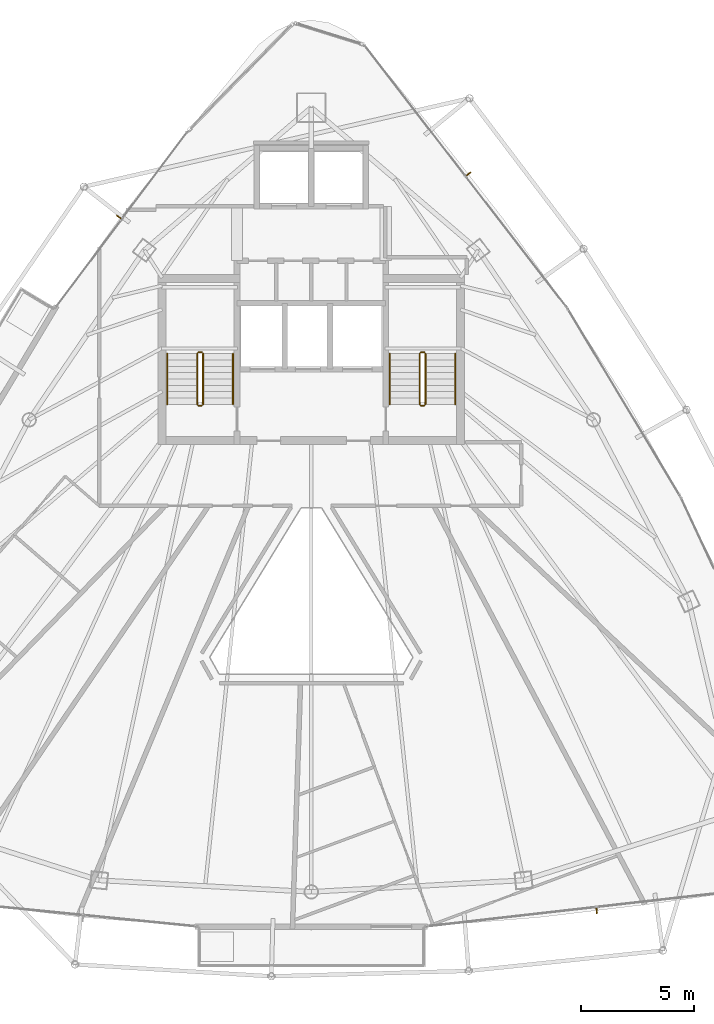
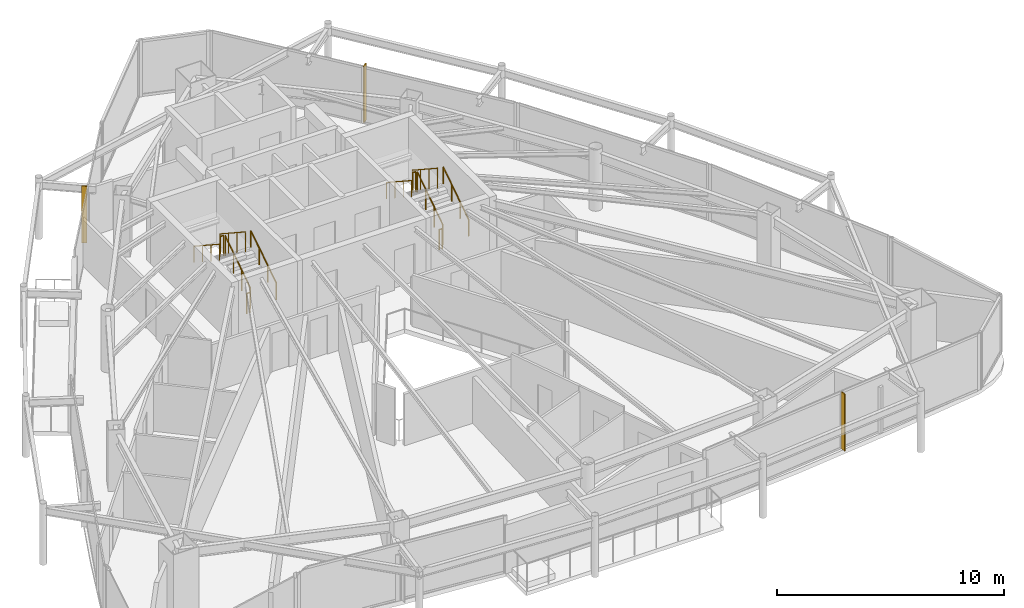
# One storey, part 29 of 29: 12 railings, 3 shading devices.
"""IFC4 building model written with IfcOpenShell, lengths in metres."""

from ifc_helpers import new_model, si_unit, direction, frame, origin, origin_2d, place, context, subcontext, project, spatial, rectangle, circle, extrude, material, layer, layer_set, type_object, element, save


model = new_model("IFC4")

# Units and contexts
model_context = context("Model", 3, precision=1e-05, world=origin(), true_north=direction((0.0, 1.0)))
body_context = subcontext(model_context, "Body", "Model", "MODEL_VIEW")
ifc_project = project(units=[si_unit("LENGTHUNIT", "METRE"), si_unit("AREAUNIT", "SQUARE_METRE"), si_unit("VOLUMEUNIT", "CUBIC_METRE"), si_unit("PLANEANGLEUNIT", "RADIAN"), si_unit("MASSUNIT", "GRAM", prefix="KILO")], contexts=[model_context])

# Site, building, storey
site_placement = place(None, origin())
site = spatial("IfcSite", under=ifc_project, at=site_placement, CompositionType="ELEMENT")
building_placement = place(site_placement, origin())
building = spatial("IfcBuilding", under=site, at=building_placement, Name="Orvanel Arch Residences", CompositionType="ELEMENT")
storey_placement = place(building_placement, frame((0.0, 0.0, 243.64990234375)))
storey = spatial("IfcBuildingStorey", under=building, at=storey_placement, Name="L69", CompositionType="ELEMENT", Elevation=243.64990234375)

# Shading devices
ifc_material_1 = material(Name="Bronze-anodised aluminium AA6063-T6", Category="aluminium")
ifc_layer = layer(ifc_material_1, 0.050048828125)
ifc_layer_set = layer_set([ifc_layer], Name="Bronze-anodised aluminium AA6063-T6")
shading_device_type = type_object("IfcShadingDeviceType", Name="FIN-BRZ-260", PredefinedType="USERDEFINED", material=ifc_layer_set)
for number, where, z_axis, x_axis, name in (
    (1, (24.52587890625, 36.570068359375, 0.0), (0.0, 0.0, 1.0), (-0.799684658487, 0.600420225326, 0.0), "L69 Anodised Bronze Mullion FIN 01"),
    (2, (45.572998046875, 6.01904296875, 0.0), (0.0, 0.0, 1.0), (0.113203213768, -0.993571855677, 0.0), "L69 Anodised Bronze Mullion FIN 01"),
    (3, (39.919921875, 38.468017578125, 0.0), (0.0, 0.0, 1.0), (0.791223532967, 0.611527040186, 0.0), "L69 Anodised Bronze Mullion FIN 01"),
):
    element("IfcShadingDevice", number, at=place(storey_placement, frame(where, z_axis=z_axis, x_axis=x_axis)), inside=storey, type_object=shading_device_type, Name=name, ObjectType="FIN", PredefinedType="USERDEFINED", context=body_context, shape_type="SweptSolid", body=[
        extrude(rectangle(XDim=0.260009765625, YDim=0.050048828125, at=origin_2d()), origin(), (0.0, 0.0, 1.0), 3.06005859375),
    ])

# Railings
ifc_material_2 = material(Name="Structural steel AS/NZS 1163 C350L0 (Grade 350)", Category="steel")
railing_type_1 = type_object("IfcRailingType", Name="RL-STAIR-GUARD", PredefinedType="GUARDRAIL", material=ifc_material_2)
railing_1_placement = place(storey_placement, frame((28.22998046875, 28.320068359375, 0.183349609375)))
element("IfcRailing", 4, at=railing_1_placement, inside=storey, type_object=railing_type_1, Name="L69 ST-1 stair guard 1", PredefinedType="GUARDRAIL", context=body_context, shape_type="SweptSolid", body=[
    extrude(circle(Radius=0.02392578125, at=origin_2d()), frame((0.0, 0.001220703125, 1.076904296875), z_axis=(0.0, 0.836595146698, 0.547821650285), x_axis=(-1.0, 0.0, 0.0)), (0.0, 0.0, 1.0), 2.674560546875),
    extrude(circle(Radius=0.02099609375, at=origin_2d()), origin(), (0.0, 0.0, 1.0), 1.050048828125),
    extrude(circle(Radius=0.02099609375, at=origin_2d()), frame((0.0, 0.74658203125, 0.489013671875)), (0.0, 0.0, 1.0), 1.050048828125),
    extrude(circle(Radius=0.02099609375, at=origin_2d()), frame((0.0, 1.493408203125, 0.977783203125)), (0.0, 0.0, 1.0), 1.050048828125),
    extrude(circle(Radius=0.02099609375, at=origin_2d()), frame((0.0, 2.239990234375, 1.466796875)), (0.0, 0.0, 1.0), 1.050048828125),
])
railing_2_placement = place(storey_placement, frame((28.179931640625, 30.610107421875, 1.650146484375)))
element("IfcRailing", 5, at=railing_2_placement, inside=storey, type_object=railing_type_1, Name="L69 ST-1 stair guard 2", PredefinedType="GUARDRAIL", context=body_context, shape_type="SweptSolid", body=[
    extrude(circle(Radius=0.02392578125, at=origin_2d()), frame((-0.00146484375, 0.0, 1.076171875), z_axis=(-1.0, 0.0, 0.0), x_axis=(0.0, -1.0, 0.0)), (0.0, 0.0, 1.0), 0.156982421875),
    extrude(circle(Radius=0.02099609375, at=origin_2d()), origin(), (0.0, 0.0, 1.0), 1.050048828125),
    extrude(circle(Radius=0.02099609375, at=origin_2d()), frame((-0.159912109375, 0.0, 0.0)), (0.0, 0.0, 1.0), 1.050048828125),
])
railing_3_placement = place(storey_placement, frame((27.969970703125, 30.56005859375, 1.83349609375)))
element("IfcRailing", 6, at=railing_3_placement, inside=storey, type_object=railing_type_1, Name="L69 ST-1 stair guard 3", PredefinedType="GUARDRAIL", context=body_context, shape_type="SweptSolid", body=[
    extrude(circle(Radius=0.02392578125, at=origin_2d()), frame((0.0, -0.001220703125, 1.076904296875), z_axis=(0.0, -0.836636935527, 0.547757827979), x_axis=(1.0, 0.0, 0.0)), (0.0, 0.0, 1.0), 2.67431640625),
    extrude(circle(Radius=0.02099609375, at=origin_2d()), origin(), (0.0, 0.0, 1.0), 1.050048828125),
    extrude(circle(Radius=0.02099609375, at=origin_2d()), frame((0.0, -0.74658203125, 0.48876953125)), (0.0, 0.0, 1.0), 1.050048828125),
    extrude(circle(Radius=0.02099609375, at=origin_2d()), frame((0.0, -1.493408203125, 0.977783203125)), (0.0, 0.0, 1.0), 1.050048828125),
    extrude(circle(Radius=0.02099609375, at=origin_2d()), frame((0.0, -2.239990234375, 1.466552734375)), (0.0, 0.0, 1.0), 1.050048828125),
])
railing_4_placement = place(storey_placement, frame((28.179931640625, 28.27001953125, 0.0)))
element("IfcRailing", 7, at=railing_4_placement, inside=storey, type_object=railing_type_1, Name="L69 ST-1 stair guard 4", PredefinedType="GUARDRAIL", context=body_context, shape_type="SweptSolid", body=[
    extrude(circle(Radius=0.02392578125, at=origin_2d()), frame((-0.00146484375, 0.0, 1.076171875), z_axis=(-1.0, 0.0, 0.0), x_axis=(0.0, -1.0, 0.0)), (0.0, 0.0, 1.0), 0.156982421875),
    extrude(circle(Radius=0.02099609375, at=origin_2d()), origin(), (0.0, 0.0, 1.0), 1.050048828125),
    extrude(circle(Radius=0.02099609375, at=origin_2d()), frame((-0.159912109375, 0.0, 0.0)), (0.0, 0.0, 1.0), 1.050048828125),
])
railing_5_placement = place(storey_placement, frame((38.030029296875, 28.320068359375, 0.183349609375)))
element("IfcRailing", 8, at=railing_5_placement, inside=storey, type_object=railing_type_1, Name="L69 ST-2 stair guard 1", PredefinedType="GUARDRAIL", context=body_context, shape_type="SweptSolid", body=[
    extrude(circle(Radius=0.02392578125, at=origin_2d()), frame((0.0, 0.001220703125, 1.076904296875), z_axis=(0.0, 0.836595146698, 0.547821650285), x_axis=(-1.0, 0.0, 0.0)), (0.0, 0.0, 1.0), 2.674560546875),
    extrude(circle(Radius=0.02099609375, at=origin_2d()), origin(), (0.0, 0.0, 1.0), 1.050048828125),
    extrude(circle(Radius=0.02099609375, at=origin_2d()), frame((0.0, 0.74658203125, 0.489013671875)), (0.0, 0.0, 1.0), 1.050048828125),
    extrude(circle(Radius=0.02099609375, at=origin_2d()), frame((0.0, 1.493408203125, 0.977783203125)), (0.0, 0.0, 1.0), 1.050048828125),
    extrude(circle(Radius=0.02099609375, at=origin_2d()), frame((0.0, 2.239990234375, 1.466796875)), (0.0, 0.0, 1.0), 1.050048828125),
])
railing_6_placement = place(storey_placement, frame((37.97998046875, 30.610107421875, 1.650146484375)))
element("IfcRailing", 9, at=railing_6_placement, inside=storey, type_object=railing_type_1, Name="L69 ST-2 stair guard 2", PredefinedType="GUARDRAIL", context=body_context, shape_type="SweptSolid", body=[
    extrude(circle(Radius=0.02392578125, at=origin_2d()), frame((-0.00146484375, 0.0, 1.076171875), z_axis=(-1.0, 0.0, 0.0), x_axis=(0.0, -1.0, 0.0)), (0.0, 0.0, 1.0), 0.156982421875),
    extrude(circle(Radius=0.02099609375, at=origin_2d()), origin(), (0.0, 0.0, 1.0), 1.050048828125),
    extrude(circle(Radius=0.02099609375, at=origin_2d()), frame((-0.159912109375, 0.0, 0.0)), (0.0, 0.0, 1.0), 1.050048828125),
])
railing_7_placement = place(storey_placement, frame((37.77001953125, 30.56005859375, 1.83349609375)))
element("IfcRailing", 10, at=railing_7_placement, inside=storey, type_object=railing_type_1, Name="L69 ST-2 stair guard 3", PredefinedType="GUARDRAIL", context=body_context, shape_type="SweptSolid", body=[
    extrude(circle(Radius=0.02392578125, at=origin_2d()), frame((0.0, -0.001220703125, 1.076904296875), z_axis=(0.0, -0.836636935527, 0.547757827979), x_axis=(1.0, 0.0, 0.0)), (0.0, 0.0, 1.0), 2.67431640625),
    extrude(circle(Radius=0.02099609375, at=origin_2d()), origin(), (0.0, 0.0, 1.0), 1.050048828125),
    extrude(circle(Radius=0.02099609375, at=origin_2d()), frame((0.0, -0.74658203125, 0.48876953125)), (0.0, 0.0, 1.0), 1.050048828125),
    extrude(circle(Radius=0.02099609375, at=origin_2d()), frame((0.0, -1.493408203125, 0.977783203125)), (0.0, 0.0, 1.0), 1.050048828125),
    extrude(circle(Radius=0.02099609375, at=origin_2d()), frame((0.0, -2.239990234375, 1.466552734375)), (0.0, 0.0, 1.0), 1.050048828125),
])
railing_8_placement = place(storey_placement, frame((37.97998046875, 28.27001953125, 0.0)))
element("IfcRailing", 11, at=railing_8_placement, inside=storey, type_object=railing_type_1, Name="L69 ST-2 stair guard 4", PredefinedType="GUARDRAIL", context=body_context, shape_type="SweptSolid", body=[
    extrude(circle(Radius=0.02392578125, at=origin_2d()), frame((-0.00146484375, 0.0, 1.076171875), z_axis=(-1.0, 0.0, 0.0), x_axis=(0.0, -1.0, 0.0)), (0.0, 0.0, 1.0), 0.156982421875),
    extrude(circle(Radius=0.02099609375, at=origin_2d()), origin(), (0.0, 0.0, 1.0), 1.050048828125),
    extrude(circle(Radius=0.02099609375, at=origin_2d()), frame((-0.159912109375, 0.0, 0.0)), (0.0, 0.0, 1.0), 1.050048828125),
])
railing_type_2 = type_object("IfcRailingType", Name="RL-STAIR-HAND", PredefinedType="HANDRAIL", material=ifc_material_2)
railing_9_placement = place(storey_placement, frame((29.550048828125, 28.320068359375, 0.183349609375)))
element("IfcRailing", 12, at=railing_9_placement, inside=storey, type_object=railing_type_2, Name="L69 ST-1 stair handrail 1", PredefinedType="HANDRAIL", context=body_context, shape_type="SweptSolid", body=[
    extrude(circle(Radius=0.02392578125, at=origin_2d()), frame((0.0, 0.001220703125, 0.876708984375), z_axis=(0.0, 0.836595146698, 0.547821650285), x_axis=(-1.0, 0.0, 0.0)), (0.0, 0.0, 1.0), 2.674560546875),
    extrude(circle(Radius=0.02099609375, at=origin_2d()), origin(), (0.0, 0.0, 1.0), 0.849853515625),
    extrude(circle(Radius=0.02099609375, at=origin_2d()), frame((0.0, 0.74658203125, 0.489013671875)), (0.0, 0.0, 1.0), 0.849853515625),
    extrude(circle(Radius=0.02099609375, at=origin_2d()), frame((0.0, 1.493408203125, 0.977783203125)), (0.0, 0.0, 1.0), 0.849853515625),
    extrude(circle(Radius=0.02099609375, at=origin_2d()), frame((0.0, 2.239990234375, 1.466796875)), (0.0, 0.0, 1.0), 0.849853515625),
])
railing_10_placement = place(storey_placement, frame((26.64990234375, 30.56005859375, 1.83349609375)))
element("IfcRailing", 13, at=railing_10_placement, inside=storey, type_object=railing_type_2, Name="L69 ST-1 stair handrail 2", PredefinedType="HANDRAIL", context=body_context, shape_type="SweptSolid", body=[
    extrude(circle(Radius=0.02392578125, at=origin_2d()), frame((0.0, -0.001220703125, 0.876708984375), z_axis=(0.0, -0.836636935527, 0.547757827979), x_axis=(1.0, 0.0, 0.0)), (0.0, 0.0, 1.0), 2.67431640625),
    extrude(circle(Radius=0.02099609375, at=origin_2d()), origin(), (0.0, 0.0, 1.0), 0.849853515625),
    extrude(circle(Radius=0.02099609375, at=origin_2d()), frame((0.0, -0.74658203125, 0.48876953125)), (0.0, 0.0, 1.0), 0.849853515625),
    extrude(circle(Radius=0.02099609375, at=origin_2d()), frame((0.0, -1.493408203125, 0.977783203125)), (0.0, 0.0, 1.0), 0.849853515625),
    extrude(circle(Radius=0.02099609375, at=origin_2d()), frame((0.0, -2.239990234375, 1.466552734375)), (0.0, 0.0, 1.0), 0.849853515625),
])
railing_11_placement = place(storey_placement, frame((39.35009765625, 28.320068359375, 0.183349609375)))
element("IfcRailing", 14, at=railing_11_placement, inside=storey, type_object=railing_type_2, Name="L69 ST-2 stair handrail 1", PredefinedType="HANDRAIL", context=body_context, shape_type="SweptSolid", body=[
    extrude(circle(Radius=0.02392578125, at=origin_2d()), frame((0.0, 0.001220703125, 0.876708984375), z_axis=(0.0, 0.836595146698, 0.547821650285), x_axis=(-1.0, 0.0, 0.0)), (0.0, 0.0, 1.0), 2.674560546875),
    extrude(circle(Radius=0.02099609375, at=origin_2d()), origin(), (0.0, 0.0, 1.0), 0.849853515625),
    extrude(circle(Radius=0.02099609375, at=origin_2d()), frame((0.0, 0.74658203125, 0.489013671875)), (0.0, 0.0, 1.0), 0.849853515625),
    extrude(circle(Radius=0.02099609375, at=origin_2d()), frame((0.0, 1.493408203125, 0.977783203125)), (0.0, 0.0, 1.0), 0.849853515625),
    extrude(circle(Radius=0.02099609375, at=origin_2d()), frame((0.0, 2.239990234375, 1.466796875)), (0.0, 0.0, 1.0), 0.849853515625),
])
railing_12_placement = place(storey_placement, frame((36.449951171875, 30.56005859375, 1.83349609375)))
element("IfcRailing", 15, at=railing_12_placement, inside=storey, type_object=railing_type_2, Name="L69 ST-2 stair handrail 2", PredefinedType="HANDRAIL", context=body_context, shape_type="SweptSolid", body=[
    extrude(circle(Radius=0.02392578125, at=origin_2d()), frame((0.0, -0.001220703125, 0.876708984375), z_axis=(0.0, -0.836636935527, 0.547757827979), x_axis=(1.0, 0.0, 0.0)), (0.0, 0.0, 1.0), 2.67431640625),
    extrude(circle(Radius=0.02099609375, at=origin_2d()), origin(), (0.0, 0.0, 1.0), 0.849853515625),
    extrude(circle(Radius=0.02099609375, at=origin_2d()), frame((0.0, -0.74658203125, 0.48876953125)), (0.0, 0.0, 1.0), 0.849853515625),
    extrude(circle(Radius=0.02099609375, at=origin_2d()), frame((0.0, -1.493408203125, 0.977783203125)), (0.0, 0.0, 1.0), 0.849853515625),
    extrude(circle(Radius=0.02099609375, at=origin_2d()), frame((0.0, -2.239990234375, 1.466552734375)), (0.0, 0.0, 1.0), 0.849853515625),
])

save(model, "model.ifc")
